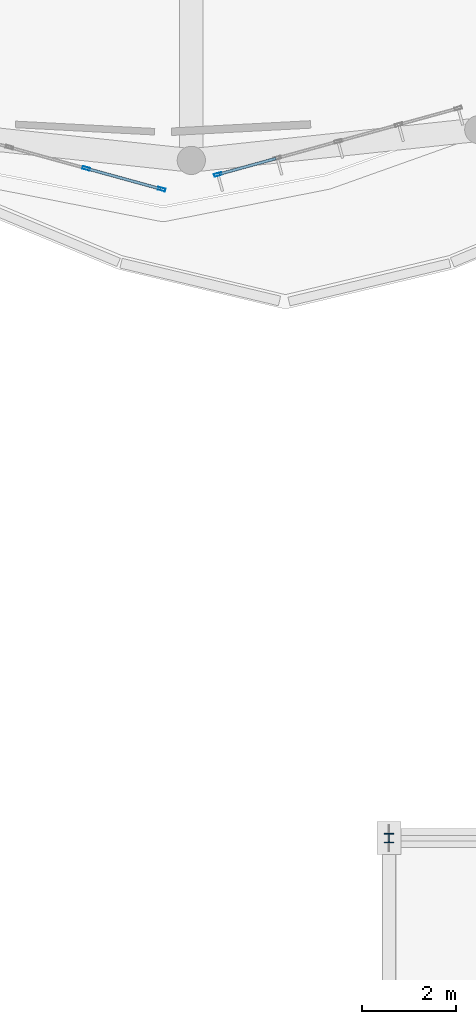
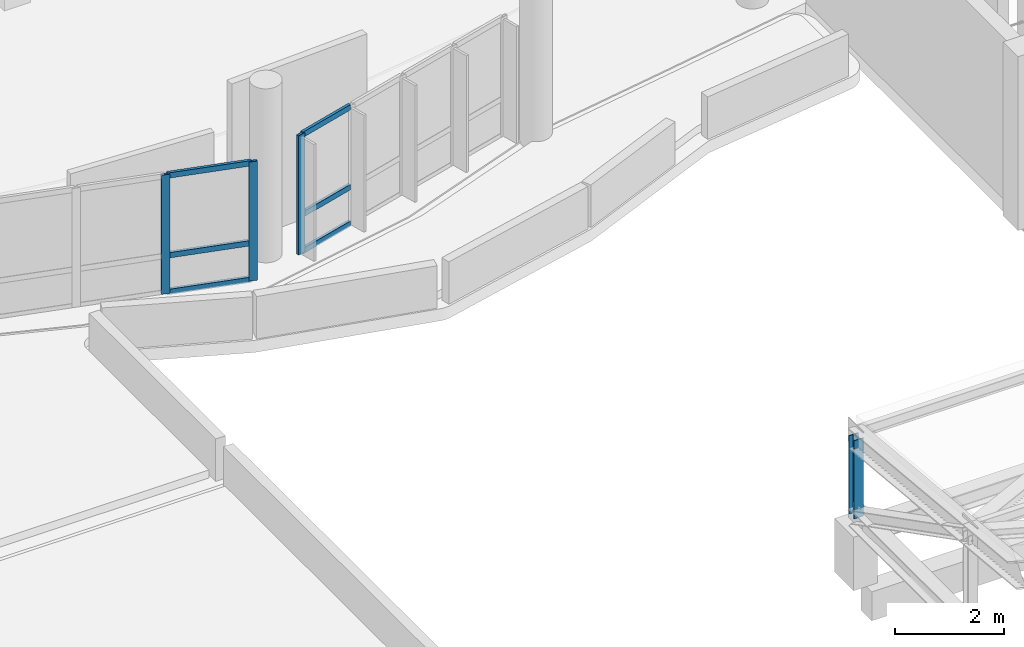
# One storey, part 6 of 74: 10 members, 2 elements without a shape of their own.
"""IFC4 building model written with IfcOpenShell, lengths in metres."""

from ifc_helpers import new_model, si_unit, derived_unit, direction, frame, origin, origin_2d, place, context, subcontext, project, spatial, hollow_rectangle, i_section, extrude, material, layer, layer_set, material_profile, profile_set, type_object, element, aggregate, save


model = new_model("IFC4")

# Units and contexts
model_context = context("Model", 3, precision=1e-05, world=origin(), true_north=direction((0.0, 1.0)))
body_context = subcontext(model_context, "Body", "Model", "MODEL_VIEW")
ifc_project = project(units=[si_unit("LENGTHUNIT", "METRE"), si_unit("AREAUNIT", "SQUARE_METRE"), si_unit("VOLUMEUNIT", "CUBIC_METRE"), si_unit("PLANEANGLEUNIT", "RADIAN"), si_unit("MASSUNIT", "GRAM", prefix="KILO"), derived_unit("THERMALTRANSMITTANCEUNIT", [(si_unit("POWERUNIT", "WATT"), 1), (si_unit("LENGTHUNIT", "METRE"), -2), (si_unit("THERMODYNAMICTEMPERATUREUNIT", "KELVIN"), -1)])], contexts=[model_context])

# Site, building, storey
site_placement = place(None, origin())
site = spatial("IfcSite", under=ifc_project, at=site_placement, CompositionType="ELEMENT")
building_placement = place(site_placement, origin())
building = spatial("IfcBuilding", under=site, at=building_placement, Name="Elbkamm Science Centre", CompositionType="ELEMENT")
storey_placement = place(building_placement, frame((0.0, 0.0, 14.39990234375)))
storey = spatial("IfcBuildingStorey", under=building, at=storey_placement, Name="L03", CompositionType="ELEMENT", Elevation=14.39990234375)

# Curtain wall, members
ifc_material_1 = material(Name="Powder-coated aluminium and triple low-E glazing", Category="aluminium")
ifc_layer_1 = layer(ifc_material_1, 0.159912109375)
ifc_layer_set_1 = layer_set([ifc_layer_1], Name="Powder-coated aluminium and triple low-E glazing")
curtain_wall_type_1 = type_object("IfcCurtainWallType", Name="CW-UNIT-5080x2680", PredefinedType="USERDEFINED", material=ifc_layer_set_1)
curtain_wall_1_placement = place(storey_placement, origin())
curtain_wall_1 = element("IfcCurtainWall", 1, at=curtain_wall_1_placement, inside=storey, type_object=curtain_wall_type_1, Name="L03 Unitised Curtain Wall 070", ObjectType="UNITISED CURTAIN WALL", PredefinedType="USERDEFINED")
ifc_material_2 = material(Name="Powder-coated aluminium EN AW-6060", Category="aluminium")
ifc_material_profile_1 = material_profile(ifc_material_2, hollow_rectangle(XDim=0.06005859375, YDim=0.159912109375, WallThickness=0.00390625, at=origin_2d()), Name="ALU M60x160")
ifc_profile_set_1 = profile_set([ifc_material_profile_1], Name="Powder-coated aluminium EN AW-6060")
member_type_1 = type_object("IfcMemberType", Name="CW-MUL-60x160", PredefinedType="MULLION", material=ifc_profile_set_1)
member_1_placement = place(storey_placement, frame((60.768310546875, 47.829833984375, 0.0), z_axis=(0.0, 0.0, 1.0), x_axis=(0.265717591226, 0.964050912407, 0.0)))
member_1 = element("IfcMember", 2, at=member_1_placement, type_object=member_type_1, Name="CW-029 mullion 3", PredefinedType="MULLION", context=body_context, shape_type="SweptSolid", body=[
    extrude(hollow_rectangle(XDim=0.06005859375, YDim=0.159912109375, WallThickness=0.00390625, at=origin_2d()), origin(), (0.0, 0.0, 1.0), 2.670166015625),
])
member_2_placement = place(storey_placement, frame((62.37109375, 47.387939453125, 0.0), z_axis=(0.0, 0.0, 1.0), x_axis=(0.265717591226, 0.964050912407, 0.0)))
member_2 = element("IfcMember", 3, at=member_2_placement, type_object=member_type_1, Name="CW-029 mullion 4", PredefinedType="MULLION", context=body_context, shape_type="SweptSolid", body=[
    extrude(hollow_rectangle(XDim=0.06005859375, YDim=0.159912109375, WallThickness=0.00390625, at=origin_2d()), origin(), (0.0, 0.0, 1.0), 2.670166015625),
])

# Curtain wall, member
ifc_layer_2 = layer(ifc_material_1, 0.159912109375)
ifc_layer_set_2 = layer_set([ifc_layer_2], Name="Powder-coated aluminium and triple low-E glazing")
curtain_wall_type_2 = type_object("IfcCurtainWallType", Name="CW-UNIT-5360x2680", PredefinedType="USERDEFINED", material=ifc_layer_set_2)
curtain_wall_2_placement = place(storey_placement, origin())
curtain_wall_2 = element("IfcCurtainWall", 4, at=curtain_wall_2_placement, inside=storey, type_object=curtain_wall_type_2, Name="L03 Unitised Curtain Wall 071", ObjectType="UNITISED CURTAIN WALL", PredefinedType="USERDEFINED")
member_3_placement = place(storey_placement, frame((63.564453125, 47.700927734375, 0.0), z_axis=(0.0, 0.0, 1.0), x_axis=(-0.265729742405, 0.964047563143, 0.0)))
member_3 = element("IfcMember", 5, at=member_3_placement, type_object=member_type_1, Name="CW-030 mullion 1", PredefinedType="MULLION", context=body_context, shape_type="SweptSolid", body=[
    extrude(hollow_rectangle(XDim=0.06005859375, YDim=0.159912109375, WallThickness=0.00390625, at=origin_2d()), origin(), (0.0, 0.0, 1.0), 2.670166015625),
])

# Member
ifc_material_profile_2 = material_profile(ifc_material_2, hollow_rectangle(XDim=0.06005859375, YDim=0.1201171875, WallThickness=0.00341796875, at=origin_2d()), Name="ALU T60x120")
ifc_profile_set_2 = profile_set([ifc_material_profile_2], Name="Powder-coated aluminium EN AW-6060")
member_type_2 = type_object("IfcMemberType", Name="CW-TRN-60x120", PredefinedType="USERDEFINED", material=ifc_profile_set_2)
member_4_placement = place(storey_placement, frame((60.797119140625, 47.82177734375, 0.030029296875), z_axis=(0.964057232352, -0.265694660749, 0.0), x_axis=(0.265694660749, 0.964057232352, 0.0)))
member_4 = element("IfcMember", 6, at=member_4_placement, type_object=member_type_2, Name="CW-029 transom 3.1", ObjectType="TRANSOM", PredefinedType="USERDEFINED", context=body_context, shape_type="SweptSolid", body=[
    extrude(hollow_rectangle(XDim=0.06005859375, YDim=0.1201171875, WallThickness=0.00341796875, at=origin_2d()), origin(), (0.0, 0.0, 1.0), 1.6025390625),
])

member_5_placement = place(storey_placement, frame((60.797119140625, 47.82177734375, 0.85009765625), z_axis=(0.964057232352, -0.265694660749, 0.0), x_axis=(0.265694660749, 0.964057232352, 0.0)))
member_5 = element("IfcMember", 7, at=member_5_placement, type_object=member_type_2, Name="CW-029 transom 3.2", ObjectType="TRANSOM", PredefinedType="USERDEFINED", context=body_context, shape_type="SweptSolid", body=[
    extrude(hollow_rectangle(XDim=0.06005859375, YDim=0.1201171875, WallThickness=0.00341796875, at=origin_2d()), origin(), (0.0, 0.0, 1.0), 1.6025390625),
])

member_6_placement = place(storey_placement, frame((60.797119140625, 47.82177734375, 2.64013671875), z_axis=(0.964057232352, -0.265694660749, 0.0), x_axis=(0.265694660749, 0.964057232352, 0.0)))
member_6 = element("IfcMember", 8, at=member_6_placement, type_object=member_type_2, Name="CW-029 transom 3.3", ObjectType="TRANSOM", PredefinedType="USERDEFINED", context=body_context, shape_type="SweptSolid", body=[
    extrude(hollow_rectangle(XDim=0.06005859375, YDim=0.1201171875, WallThickness=0.00341796875, at=origin_2d()), origin(), (0.0, 0.0, 1.0), 1.6025390625),
])

aggregate(curtain_wall_1, [member_1, member_2, member_4, member_5, member_6])

member_7_placement = place(storey_placement, frame((63.59326171875, 47.708984375, 0.030029296875), z_axis=(0.964070334011, 0.265647117583, 0.0), x_axis=(-0.265647117583, 0.964070334011, 0.0)))
member_7 = element("IfcMember", 9, at=member_7_placement, type_object=member_type_2, Name="CW-030 transom 1.1", ObjectType="TRANSOM", PredefinedType="USERDEFINED", context=body_context, shape_type="SweptSolid", body=[
    extrude(hollow_rectangle(XDim=0.06005859375, YDim=0.1201171875, WallThickness=0.00341796875, at=origin_2d()), origin(), (0.0, 0.0, 1.0), 1.2490234375),
])

member_8_placement = place(storey_placement, frame((63.59326171875, 47.708984375, 0.85009765625), z_axis=(0.964070334011, 0.265647117583, 0.0), x_axis=(-0.265647117583, 0.964070334011, 0.0)))
member_8 = element("IfcMember", 10, at=member_8_placement, type_object=member_type_2, Name="CW-030 transom 1.2", ObjectType="TRANSOM", PredefinedType="USERDEFINED", context=body_context, shape_type="SweptSolid", body=[
    extrude(hollow_rectangle(XDim=0.06005859375, YDim=0.1201171875, WallThickness=0.00341796875, at=origin_2d()), origin(), (0.0, 0.0, 1.0), 1.2490234375),
])

member_9_placement = place(storey_placement, frame((63.59326171875, 47.708984375, 2.64013671875), z_axis=(0.964070334011, 0.265647117583, 0.0), x_axis=(-0.265647117583, 0.964070334011, 0.0)))
member_9 = element("IfcMember", 11, at=member_9_placement, type_object=member_type_2, Name="CW-030 transom 1.3", ObjectType="TRANSOM", PredefinedType="USERDEFINED", context=body_context, shape_type="SweptSolid", body=[
    extrude(hollow_rectangle(XDim=0.06005859375, YDim=0.1201171875, WallThickness=0.00341796875, at=origin_2d()), origin(), (0.0, 0.0, 1.0), 1.2490234375),
])

aggregate(curtain_wall_2, [member_3, member_7, member_8, member_9])

ifc_material_3 = material(Name="Steel EN 10025-2 S355J2", Category="steel")
ifc_material_profile_3 = material_profile(ifc_material_3, i_section(OverallWidth=0.199951171875, OverallDepth=0.199951171875, WebThickness=0.009033203125, FlangeThickness=0.014892578125, FilletRadius=0.01806640625, at=origin_2d()), Name="HEB 200")
ifc_profile_set_3 = profile_set([ifc_material_profile_3], Name="Steel EN 10025-2 S355J2")
member_type_3 = type_object("IfcMemberType", Name="MEM-STRUT-HEB200", PredefinedType="STRUT", material=ifc_profile_set_3)
member_10_placement = place(storey_placement, frame((67.199951171875, 33.60009765625, 1.400146484375), z_axis=(0.0, 0.0, 1.0), x_axis=(1.0, 0.0, 0.0)))
element("IfcMember", 12, at=member_10_placement, inside=storey, type_object=member_type_3, Name="Theatre Steel Truss 01 Vertical Strut 9", PredefinedType="STRUT", context=body_context, shape_type="SweptSolid", body=[
    extrude(i_section(OverallWidth=0.199951171875, OverallDepth=0.199951171875, WebThickness=0.009033203125, FlangeThickness=0.014892578125, FilletRadius=0.01806640625, at=origin_2d()), origin(), (0.0, 0.0, 1.0), 1.7568359375),
])

save(model, "model.ifc")
